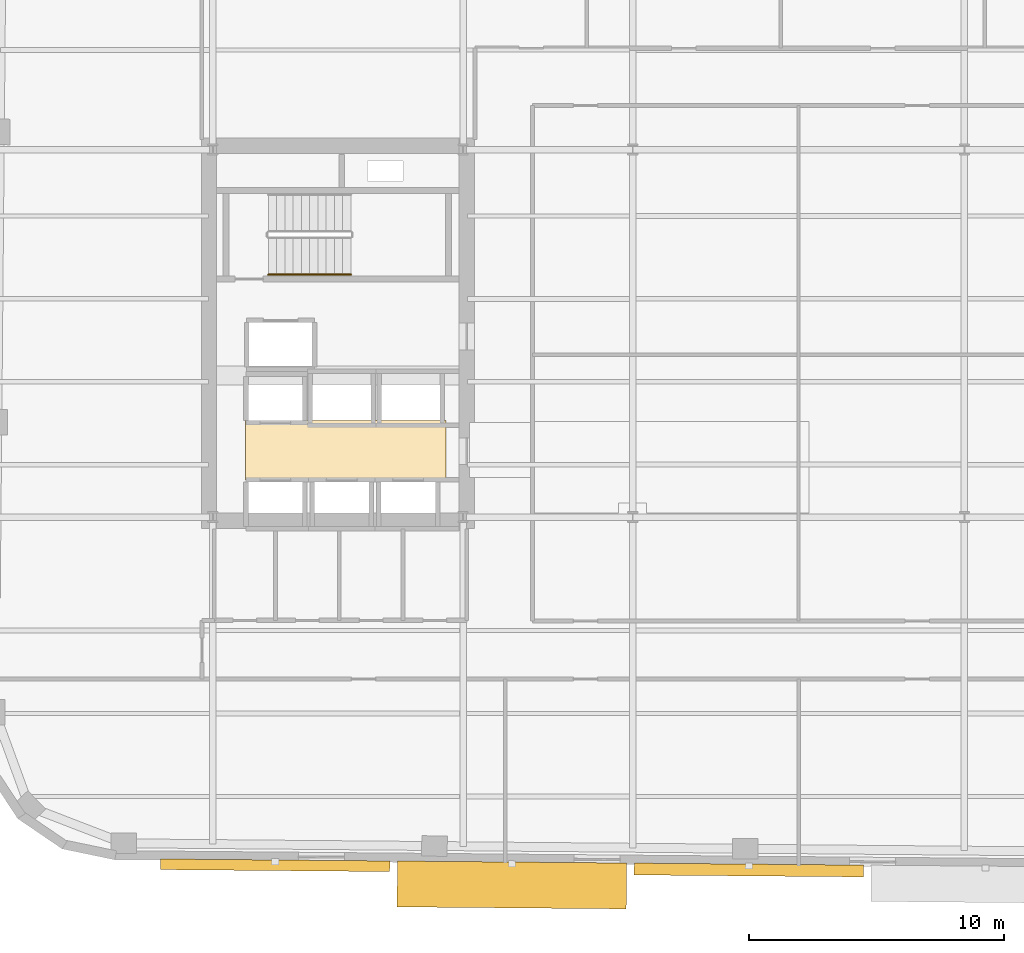
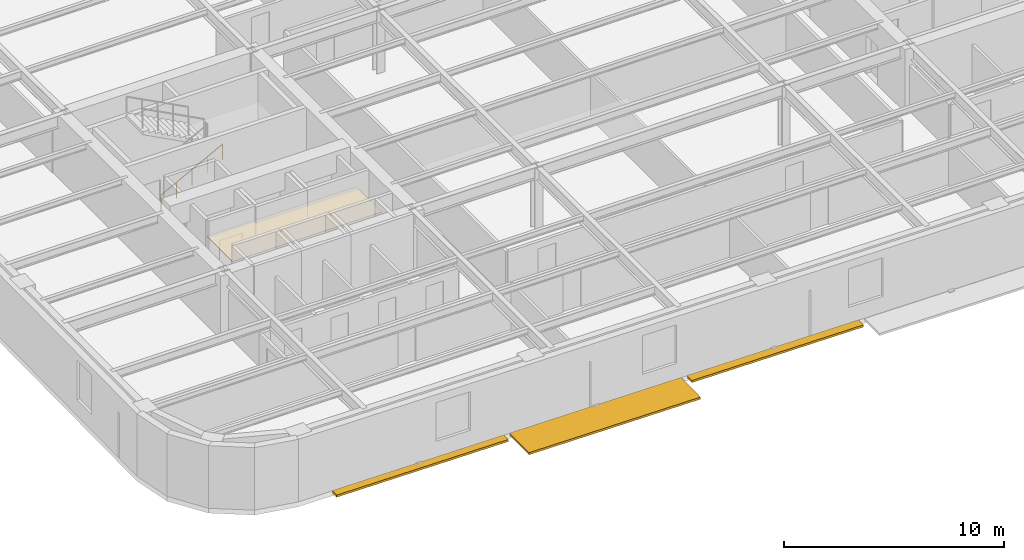
# One storey, part 8 of 11: 3 shading devices, 1 covering, 1 railing.
"""IFC4 building model written with IfcOpenShell, lengths in metres."""

from ifc_helpers import new_model, si_unit, direction, frame, origin, origin_2d, place, context, subcontext, project, spatial, polyline, rectangle, circle, outline, extrude, material, layer, layer_set, type_object, element, save


model = new_model("IFC4")

# Units and contexts
model_context = context("Model", 3, precision=1e-05, world=origin(), true_north=direction((0.0, 1.0)))
body_context = subcontext(model_context, "Body", "Model", "MODEL_VIEW")
ifc_project = project(units=[si_unit("LENGTHUNIT", "METRE"), si_unit("AREAUNIT", "SQUARE_METRE"), si_unit("VOLUMEUNIT", "CUBIC_METRE"), si_unit("PLANEANGLEUNIT", "RADIAN"), si_unit("MASSUNIT", "GRAM", prefix="KILO")], contexts=[model_context])

# Site, building, storey
site_placement = place(None, origin())
site = spatial("IfcSite", under=ifc_project, at=site_placement, CompositionType="ELEMENT")
building_placement = place(site_placement, origin())
building = spatial("IfcBuilding", under=site, at=building_placement, Name="Kolvaren Arena Tower", CompositionType="ELEMENT")
storey_placement = place(building_placement, frame((0.0, 0.0, 203.449951171875)))
storey = spatial("IfcBuildingStorey", under=building, at=storey_placement, Name="L49", CompositionType="ELEMENT", Elevation=203.449951171875)

# Covering
ifc_material_1 = material(Name="Moisture-resistant gypsum ceiling", Category="gypsum")
ifc_layer = layer(ifc_material_1, 0.030029296875)
ifc_layer_set = layer_set([ifc_layer], Name="Moisture-resistant gypsum ceiling")
covering_type = type_object("IfcCoveringType", Name="CEIL-GYP-1", PredefinedType="CEILING", material=ifc_layer_set)
covering_placement = place(storey_placement, frame((0.0, 0.0, 2.52001953125)))
element("IfcCovering", 1, at=covering_placement, inside=storey, type_object=covering_type, Name="Suspended Ceiling (L49)", PredefinedType="CEILING", context=body_context, shape_type="SweptSolid", body=[
    extrude(outline(polyline([(15.820068359375, 20.89990234375), (15.820068359375, 23.239990234375), (23.679931640625, 23.239990234375), (23.679931640625, 20.89990234375), (15.820068359375, 20.89990234375)])), origin(), (0.0, 0.0, 1.0), 0.030029296875),
])

# Railing
ifc_material_2 = material(Name="Brushed stainless steel handrail", Category="steel")
railing_type = type_object("IfcRailingType", Name="HRAIL-900", PredefinedType="HANDRAIL", material=ifc_material_2)
railing_placement = place(storey_placement, frame((16.719970703125, 28.949951171875, 0.17041015625)))
element("IfcRailing", 2, at=railing_placement, inside=storey, type_object=railing_type, Name="L49 ST-W1 stair handrail 1", PredefinedType="HANDRAIL", context=body_context, shape_type="SweptSolid", body=[
    extrude(circle(Radius=0.02392578125, at=origin_2d()), frame((0.0, 0.0, 0.8759765625), z_axis=(0.884993431791, 0.0, 0.465603506952), x_axis=(0.0, 1.0, 0.0)), (0.0, 0.0, 1.0), 3.6611328125),
    extrude(circle(Radius=0.02099609375, at=origin_2d()), origin(), (0.0, 0.0, 1.0), 0.851806640625),
    extrude(circle(Radius=0.02099609375, at=origin_2d()), frame((0.81005859375, 0.0, 0.42626953125)), (0.0, 0.0, 1.0), 0.851806640625),
    extrude(circle(Radius=0.02099609375, at=origin_2d()), frame((1.6201171875, 0.0, 0.852294921875)), (0.0, 0.0, 1.0), 0.851806640625),
    extrude(circle(Radius=0.02099609375, at=origin_2d()), frame((2.429931640625, 0.0, 1.2783203125)), (0.0, 0.0, 1.0), 0.851806640625),
    extrude(circle(Radius=0.02099609375, at=origin_2d()), frame((3.239990234375, 0.0, 1.70458984375)), (0.0, 0.0, 1.0), 0.851806640625),
])

# Shading devices
ifc_material_3 = material(Name="Architectural precast GFRC and anodised aluminium sunshade", Category="concrete")
shading_device_type_1 = type_object("IfcShadingDeviceType", Name="SHAD-SINE-A", PredefinedType="USERDEFINED", material=ifc_material_3)
shading_device_1_placement = place(storey_placement, frame((35.549560546875, 5.6171875, -0.139892578125), z_axis=(0.0, 0.0, 1.0), x_axis=(-0.999961923064, 0.008726535498, 0.0)))
element("IfcShadingDevice", 3, at=shading_device_1_placement, inside=storey, type_object=shading_device_type_1, Name="Sinusoidal Slab-Edge Sunshade Louvre (L49)", ObjectType="LOUVRE", PredefinedType="USERDEFINED", context=body_context, shape_type="SweptSolid", body=[
    extrude(rectangle(XDim=8.97998046875, YDim=0.46435546875, at=origin_2d()), origin(), (0.0, 0.0, 1.0), 0.1201171875),
])
shading_device_2_placement = place(storey_placement, frame((16.990478515625, 5.802490234375, -0.139892578125), z_axis=(0.0, 0.0, 1.0), x_axis=(-0.999961923064, 0.008726535498, 0.0)))
element("IfcShadingDevice", 4, at=shading_device_2_placement, inside=storey, type_object=shading_device_type_1, Name="Sinusoidal Slab-Edge Sunshade Louvre (L49)", ObjectType="LOUVRE", PredefinedType="USERDEFINED", context=body_context, shape_type="SweptSolid", body=[
    extrude(rectangle(XDim=8.97998046875, YDim=0.417724609375, at=origin_2d()), origin(), (0.0, 0.0, 1.0), 0.1201171875),
])
shading_device_type_2 = type_object("IfcShadingDeviceType", Name="SHAD-SINE-B", PredefinedType="JALOUSIE", material=ifc_material_3)
shading_device_3_placement = place(storey_placement, frame((26.263916015625, 5.031494140625, -0.139892578125), z_axis=(0.0, 0.0, 1.0), x_axis=(-0.999961923064, 0.008726535498, 0.0)))
element("IfcShadingDevice", 5, at=shading_device_3_placement, inside=storey, type_object=shading_device_type_2, Name="Sinusoidal Slab-Edge Sunshade Louvre (L49)", PredefinedType="JALOUSIE", context=body_context, shape_type="SweptSolid", body=[
    extrude(rectangle(XDim=8.97998046875, YDim=1.79833984375, at=origin_2d()), origin(), (0.0, 0.0, 1.0), 0.1201171875),
])

save(model, "model.ifc")
